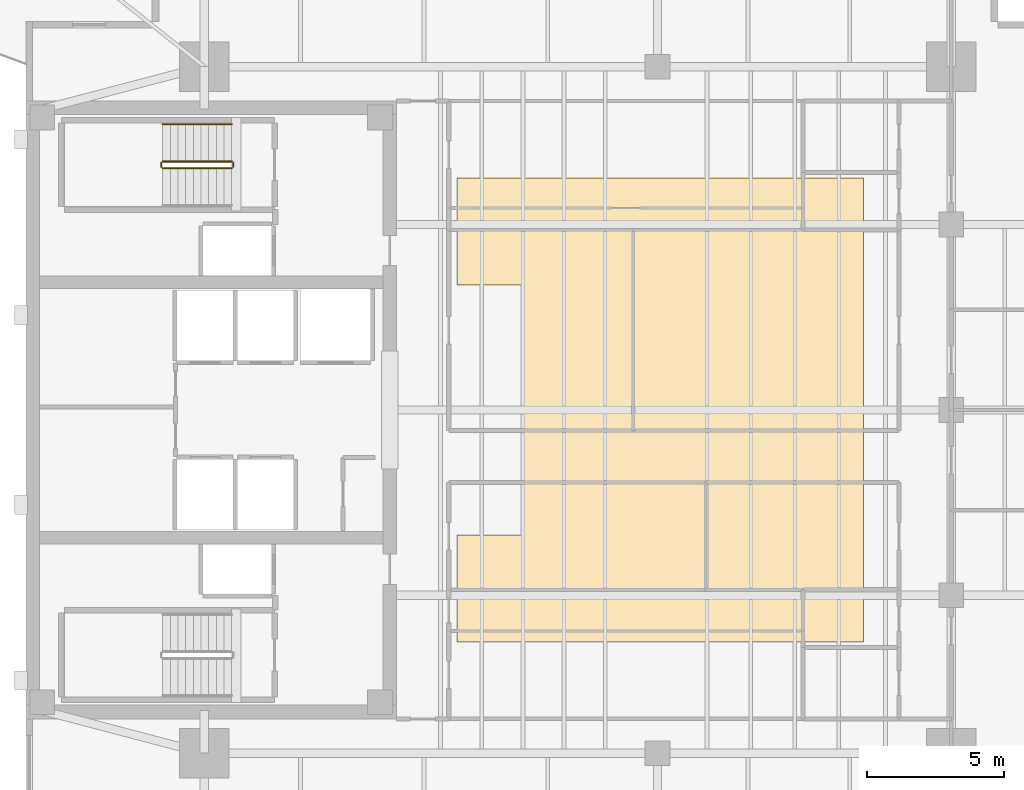
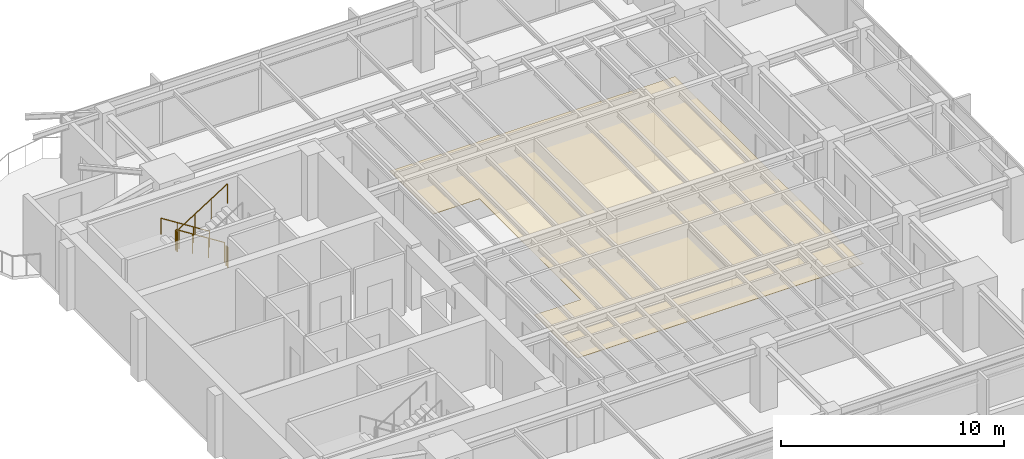
# One storey, part 13 of 14: 5 railings, 1 covering.
"""IFC4 building model written with IfcOpenShell, lengths in metres."""

from ifc_helpers import new_model, si_unit, direction, frame, origin, origin_2d, place, context, subcontext, project, spatial, polyline, circle, outline, extrude, material, layer, layer_set, type_object, element, save


model = new_model("IFC4")

# Units and contexts
model_context = context("Model", 3, precision=1e-05, world=origin(), true_north=direction((0.0, 1.0)))
body_context = subcontext(model_context, "Body", "Model", "MODEL_VIEW")
ifc_project = project(units=[si_unit("LENGTHUNIT", "METRE"), si_unit("AREAUNIT", "SQUARE_METRE"), si_unit("VOLUMEUNIT", "CUBIC_METRE"), si_unit("PLANEANGLEUNIT", "RADIAN"), si_unit("MASSUNIT", "GRAM", prefix="KILO")], contexts=[model_context])

# Site, building, storey
site_placement = place(None, origin())
site = spatial("IfcSite", under=ifc_project, at=site_placement, CompositionType="ELEMENT")
building_placement = place(site_placement, origin())
building = spatial("IfcBuilding", under=site, at=building_placement, Name="Kinhvarn Gate Tower", CompositionType="ELEMENT")
storey_placement = place(building_placement, frame((0.0, 0.0, 256.35009765625)))
storey = spatial("IfcBuildingStorey", under=building, at=storey_placement, Name="L68", CompositionType="ELEMENT", Elevation=256.35009765625)

# Covering
ifc_material_1 = material(Name="Mineral-fibre acoustic ceiling tile")
ifc_layer = layer(ifc_material_1, 0.02001953125)
ifc_layer_set = layer_set([ifc_layer], Name="Mineral-fibre acoustic ceiling tile")
covering_type = type_object("IfcCoveringType", Name="COV-CEIL-20", PredefinedType="CEILING", material=ifc_layer_set)
covering_placement = place(storey_placement, frame((0.0, 0.0, 2.64990234375)))
element("IfcCovering", 1, at=covering_placement, inside=storey, type_object=covering_type, Name="Suspended Acoustic Ceiling Tile (L68-1)", PredefinedType="CEILING", context=body_context, shape_type="SweptSolid", body=[
    extrude(outline(polyline([(35.0, 33.699951171875), (35.0, 16.800048828125), (20.199951171875, 16.800048828125), (20.199951171875, 20.699951171875), (22.60009765625, 20.699951171875), (22.60009765625, 29.800048828125), (20.199951171875, 29.800048828125), (20.199951171875, 33.699951171875), (35.0, 33.699951171875)])), origin(), (0.0, 0.0, 1.0), 0.02001953125),
])

# Railings
ifc_material_2 = material(Name="Steel S355", Category="steel")
railing_type_1 = type_object("IfcRailingType", Name="RL-ST-GRD", PredefinedType="BALUSTRADE", material=ifc_material_2)
railing_1_placement = place(storey_placement, frame((12.0, 34.300048828125, 0.177490234375)))
element("IfcRailing", 2, at=railing_1_placement, inside=storey, type_object=railing_type_1, Name="L68 ST2 stair guard 1", PredefinedType="BALUSTRADE", context=body_context, shape_type="SweptSolid", body=[
    extrude(circle(Radius=0.02392578125, at=origin_2d()), frame((0.0, 0.0, 1.076171875), z_axis=(-0.84460694969, 0.0, 0.535386869969), x_axis=(0.0, -1.0, 0.0)), (0.0, 0.0, 1.0), 2.983642578125),
    extrude(circle(Radius=0.02099609375, at=origin_2d()), origin(), (0.0, 0.0, 1.0), 1.052001953125),
    extrude(circle(Radius=0.02099609375, at=origin_2d()), frame((-0.840087890625, 0.0, 0.532470703125)), (0.0, 0.0, 1.0), 1.052001953125),
    extrude(circle(Radius=0.02099609375, at=origin_2d()), frame((-1.679931640625, 0.0, 1.06494140625)), (0.0, 0.0, 1.0), 1.052001953125),
    extrude(circle(Radius=0.02099609375, at=origin_2d()), frame((-2.52001953125, 0.0, 1.597412109375)), (0.0, 0.0, 1.0), 1.052001953125),
])
railing_2_placement = place(storey_placement, frame((9.429931640625, 34.25, 1.77490234375)))
element("IfcRailing", 3, at=railing_2_placement, inside=storey, type_object=railing_type_1, Name="L68 ST2 stair guard 2", PredefinedType="BALUSTRADE", context=body_context, shape_type="SweptSolid", body=[
    extrude(circle(Radius=0.02392578125, at=origin_2d()), frame((0.0, 0.0, 1.076171875), z_axis=(0.0, -1.0, 0.0), x_axis=(1.0, 0.0, 0.0)), (0.0, 0.0, 1.0), 0.14990234375),
    extrude(circle(Radius=0.02099609375, at=origin_2d()), origin(), (0.0, 0.0, 1.0), 1.052001953125),
    extrude(circle(Radius=0.02099609375, at=origin_2d()), frame((0.0, -0.14990234375, 0.0)), (0.0, 0.0, 1.0), 1.052001953125),
])
railing_3_placement = place(storey_placement, frame((9.47998046875, 34.050048828125, 1.952392578125)))
element("IfcRailing", 4, at=railing_3_placement, inside=storey, type_object=railing_type_1, Name="L68 ST2 stair guard 3", PredefinedType="BALUSTRADE", context=body_context, shape_type="SweptSolid", body=[
    extrude(circle(Radius=0.02392578125, at=origin_2d()), frame((0.0, 0.0, 1.076171875), z_axis=(0.84460694969, 0.0, 0.535386869969), x_axis=(0.0, 1.0, 0.0)), (0.0, 0.0, 1.0), 2.983642578125),
    extrude(circle(Radius=0.02099609375, at=origin_2d()), origin(), (0.0, 0.0, 1.0), 1.052001953125),
    extrude(circle(Radius=0.02099609375, at=origin_2d()), frame((0.840087890625, 0.0, 0.532470703125)), (0.0, 0.0, 1.0), 1.052001953125),
    extrude(circle(Radius=0.02099609375, at=origin_2d()), frame((1.679931640625, 0.0, 1.06494140625)), (0.0, 0.0, 1.0), 1.052001953125),
    extrude(circle(Radius=0.02099609375, at=origin_2d()), frame((2.52001953125, 0.0, 1.597412109375)), (0.0, 0.0, 1.0), 1.052001953125),
])
railing_4_placement = place(storey_placement, frame((12.050048828125, 34.25, 0.0)))
element("IfcRailing", 5, at=railing_4_placement, inside=storey, type_object=railing_type_1, Name="L68 ST2 stair guard 4", PredefinedType="BALUSTRADE", context=body_context, shape_type="SweptSolid", body=[
    extrude(circle(Radius=0.02392578125, at=origin_2d()), frame((0.0, 0.0, 1.076171875), z_axis=(0.0, -1.0, 0.0), x_axis=(1.0, 0.0, 0.0)), (0.0, 0.0, 1.0), 0.14990234375),
    extrude(circle(Radius=0.02099609375, at=origin_2d()), origin(), (0.0, 0.0, 1.0), 1.052001953125),
    extrude(circle(Radius=0.02099609375, at=origin_2d()), frame((0.0, -0.14990234375, 0.0)), (0.0, 0.0, 1.0), 1.052001953125),
])
railing_type_2 = type_object("IfcRailingType", Name="RL-ST-HND", PredefinedType="HANDRAIL", material=ifc_material_2)
railing_5_placement = place(storey_placement, frame((12.0, 35.64990234375, 0.177490234375)))
element("IfcRailing", 6, at=railing_5_placement, inside=storey, type_object=railing_type_2, Name="L68 ST2 stair handrail 1", PredefinedType="HANDRAIL", context=body_context, shape_type="SweptSolid", body=[
    extrude(circle(Radius=0.02392578125, at=origin_2d()), frame((0.0, 0.0, 0.8759765625), z_axis=(-0.84460694969, 0.0, 0.535386869969), x_axis=(0.0, -1.0, 0.0)), (0.0, 0.0, 1.0), 2.983642578125),
    extrude(circle(Radius=0.02099609375, at=origin_2d()), origin(), (0.0, 0.0, 1.0), 0.851806640625),
    extrude(circle(Radius=0.02099609375, at=origin_2d()), frame((-0.840087890625, 0.0, 0.532470703125)), (0.0, 0.0, 1.0), 0.851806640625),
    extrude(circle(Radius=0.02099609375, at=origin_2d()), frame((-1.679931640625, 0.0, 1.06494140625)), (0.0, 0.0, 1.0), 0.851806640625),
    extrude(circle(Radius=0.02099609375, at=origin_2d()), frame((-2.52001953125, 0.0, 1.597412109375)), (0.0, 0.0, 1.0), 0.851806640625),
])

save(model, "model.ifc")
